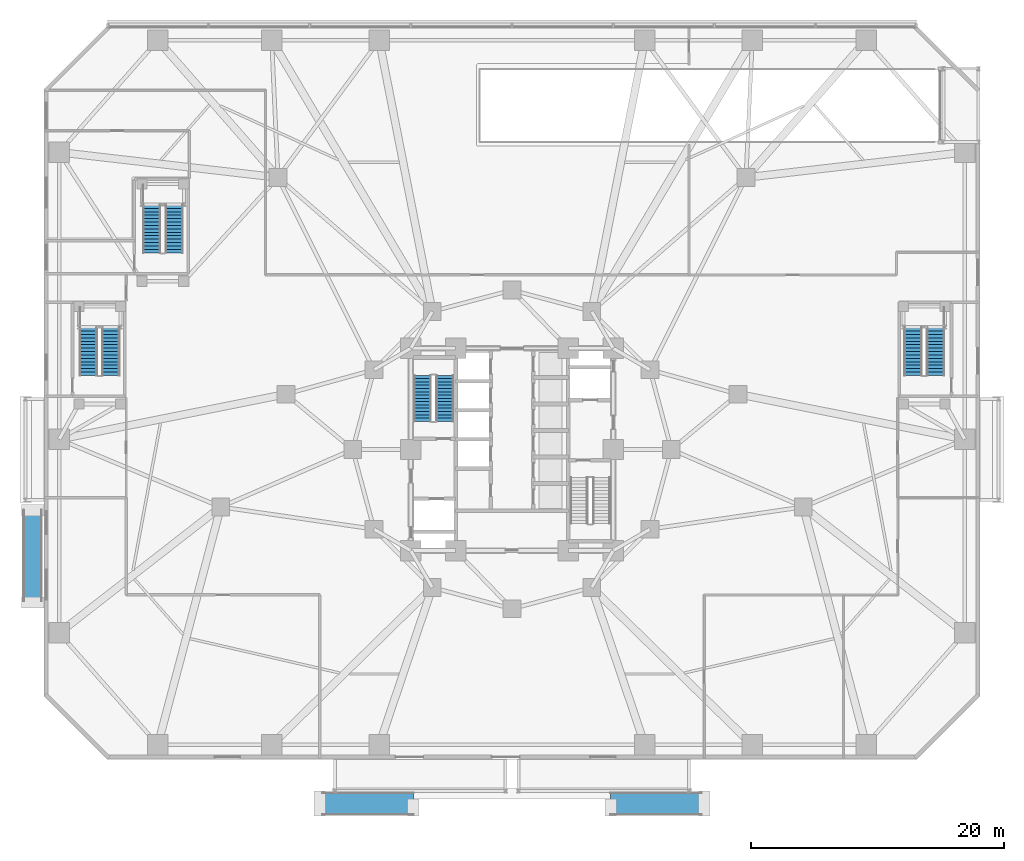
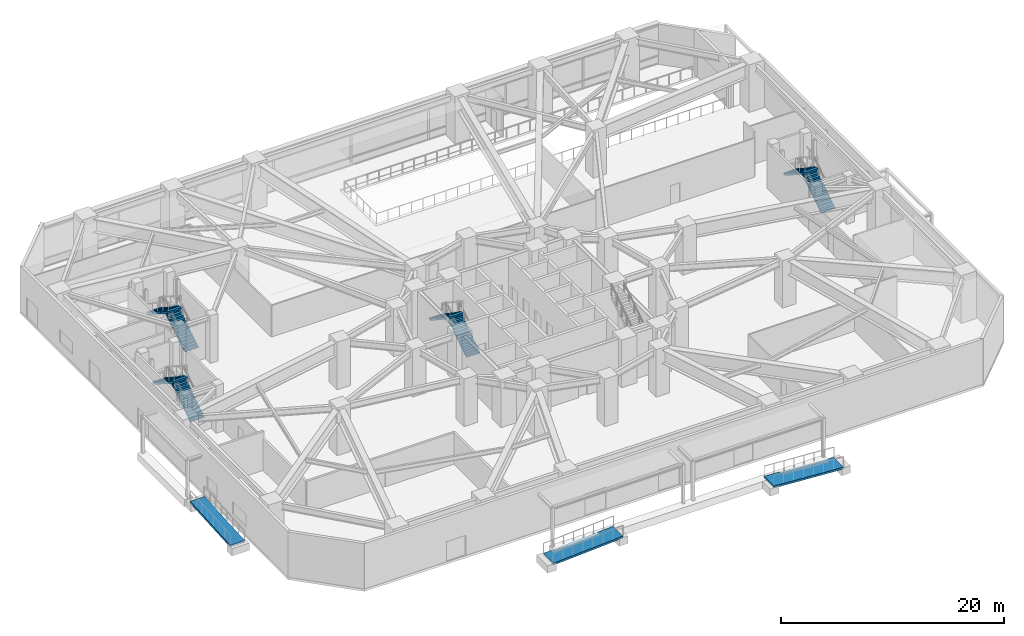
# One storey, part 21 of 30: 8 stair flights, 3 ramp flights, 7 elements without a shape of their own.
"""IFC4 building model written with IfcOpenShell, lengths in metres."""

from ifc_helpers import new_model, si_unit, direction, frame, origin, place, context, subcontext, project, spatial, polyline, outline, extrude, material, type_object, element, aggregate, save


model = new_model("IFC4")

# Units and contexts
model_context = context("Model", 3, precision=1e-05, world=origin(), true_north=direction((0.0, 1.0)))
body_context = subcontext(model_context, "Body", "Model", "MODEL_VIEW")
ifc_project = project(units=[si_unit("LENGTHUNIT", "METRE"), si_unit("AREAUNIT", "SQUARE_METRE"), si_unit("VOLUMEUNIT", "CUBIC_METRE"), si_unit("PLANEANGLEUNIT", "RADIAN"), si_unit("MASSUNIT", "GRAM", prefix="KILO")], contexts=[model_context])

# Site, building, storey
site_placement = place(None, origin())
site = spatial("IfcSite", under=ifc_project, at=site_placement, CompositionType="ELEMENT")
building_placement = place(site_placement, origin())
building = spatial("IfcBuilding", under=site, at=building_placement, Name="Terralouvre Media Tower", CompositionType="ELEMENT")
storey_placement = place(building_placement, origin())
storey = spatial("IfcBuildingStorey", under=building, at=storey_placement, Name="L00", CompositionType="ELEMENT", Elevation=0.0)

# Stair, stair flights
ifc_material_1 = material(Name="Concrete C45/55", Category="concrete")
stair_type_1 = type_object("IfcStairType", Name="Dogleg Stair Assembly ST-01", PredefinedType="HALF_TURN_STAIR", material=ifc_material_1)
stair_1_placement = place(storey_placement, origin())
stair_1 = element("IfcStair", 1, at=stair_1_placement, inside=storey, type_object=stair_type_1, Name="L00 Core Pressurised Exit Stair ST-01", PredefinedType="HALF_TURN_STAIR")
ifc_material_2 = material(Name="Concrete C45/55", Category="concrete")
stair_flight_type = type_object("IfcStairFlightType", Name="Reinforced Concrete Stair Flight SF-RC1", PredefinedType="STRAIGHT", material=ifc_material_2)
stair_flight_1_placement = place(storey_placement, frame((-5.300048828125, 2.219970703125, 0.0), z_axis=(0.0, 0.0, 1.0), x_axis=(0.0, 1.0, 0.0)))
stair_flight_1 = element("IfcStairFlight", 2, at=stair_flight_1_placement, type_object=stair_flight_type, Name="ST-01 flight 1", NumberOfRisers=15, NumberOfTreads=14, PredefinedType="STRAIGHT", RiserHeight=0.173333333, TreadLength=0.26, context=body_context, shape_type="SweptSolid", body=[
    extrude(outline(polyline([(0.0, 0.0), (0.0, 0.17333984375), (0.260009765625, 0.17333984375), (0.260009765625, 0.3466796875), (0.52001953125, 0.3466796875), (0.52001953125, 0.52001953125), (0.780029296875, 0.52001953125), (0.780029296875, 0.693359375), (1.0400390625, 0.693359375), (1.0400390625, 0.86669921875), (1.300048828125, 0.86669921875), (1.300048828125, 1.0400390625), (1.56005859375, 1.0400390625), (1.56005859375, 1.21337890625), (1.820068359375, 1.21337890625), (1.820068359375, 1.38671875), (2.080078125, 1.38671875), (2.080078125, 1.56005859375), (2.340087890625, 1.56005859375), (2.340087890625, 1.7333984375), (2.60009765625, 1.7333984375), (2.60009765625, 1.90673828125), (2.860107421875, 1.90673828125), (2.860107421875, 2.080078125), (3.1201171875, 2.080078125), (3.1201171875, 2.25341796875), (3.3798828125, 2.25341796875), (3.3798828125, 2.4267578125), (3.639892578125, 2.4267578125), (3.639892578125, 2.60009765625), (3.639892578125, 2.24658203125), (0.270263671875, 0.0), (0.0, 0.0)])), frame((0.0, 0.699951171875, 0.0), z_axis=(0.0, -1.0, 0.0), x_axis=(1.0, 0.0, 0.0)), (0.0, 0.0, 1.0), 1.39990234375),
])
stair_flight_2_placement = place(storey_placement, frame((-7.080078125, 5.860107421875, 2.60009765625), z_axis=(0.0, 0.0, 1.0), x_axis=(0.0, -1.0, 0.0)))
stair_flight_2 = element("IfcStairFlight", 3, at=stair_flight_2_placement, type_object=stair_flight_type, Name="ST-01 flight 2", NumberOfRisers=15, NumberOfTreads=14, PredefinedType="STRAIGHT", RiserHeight=0.173333333, TreadLength=0.26, context=body_context, shape_type="SweptSolid", body=[
    extrude(outline(polyline([(0.0, 0.0), (0.0, 0.17333984375), (0.260009765625, 0.17333984375), (0.260009765625, 0.3466796875), (0.52001953125, 0.3466796875), (0.52001953125, 0.52001953125), (0.780029296875, 0.52001953125), (0.780029296875, 0.693359375), (1.0400390625, 0.693359375), (1.0400390625, 0.86669921875), (1.300048828125, 0.86669921875), (1.300048828125, 1.0400390625), (1.56005859375, 1.0400390625), (1.56005859375, 1.21337890625), (1.820068359375, 1.21337890625), (1.820068359375, 1.38671875), (2.080078125, 1.38671875), (2.080078125, 1.56005859375), (2.340087890625, 1.56005859375), (2.340087890625, 1.7333984375), (2.60009765625, 1.7333984375), (2.60009765625, 1.90673828125), (2.860107421875, 1.90673828125), (2.860107421875, 2.080078125), (3.1201171875, 2.080078125), (3.1201171875, 2.25341796875), (3.3798828125, 2.25341796875), (3.3798828125, 2.4267578125), (3.639892578125, 2.4267578125), (3.639892578125, 2.60009765625), (3.639892578125, 2.24658203125), (0.270263671875, 0.0), (0.0, 0.0)])), frame((0.0, 0.699951171875, 0.0), z_axis=(0.0, -1.0, 0.0), x_axis=(1.0, 0.0, 0.0)), (0.0, 0.0, 1.0), 1.39990234375),
])
aggregate(stair_1, [stair_flight_1, stair_flight_2])

ifc_material_3 = material(Name="Concrete C45/55", Category="concrete")
stair_type_2 = type_object("IfcStairType", Name="Dogleg Stair Assembly ST-03", PredefinedType="HALF_TURN_STAIR", material=ifc_material_3)
stair_2_placement = place(storey_placement, origin())
stair_2 = element("IfcStair", 4, at=stair_2_placement, inside=storey, type_object=stair_type_2, Name="L00 West Podium Exit Stair ST-03", PredefinedType="HALF_TURN_STAIR")
stair_flight_3_placement = place(storey_placement, frame((-31.7099609375, 5.85009765625, 0.0), z_axis=(0.0, 0.0, 1.0), x_axis=(0.0, 1.0, 0.0)))
stair_flight_3 = element("IfcStairFlight", 5, at=stair_flight_3_placement, type_object=stair_flight_type, Name="ST-03 flight 1", NumberOfRisers=15, NumberOfTreads=14, PredefinedType="STRAIGHT", RiserHeight=0.173333333, TreadLength=0.27, context=body_context, shape_type="SweptSolid", body=[
    extrude(outline(polyline([(0.0, 0.0), (0.0, 0.17333984375), (0.27001953125, 0.17333984375), (0.27001953125, 0.3466796875), (0.5400390625, 0.3466796875), (0.5400390625, 0.52001953125), (0.81005859375, 0.52001953125), (0.81005859375, 0.693359375), (1.080078125, 0.693359375), (1.080078125, 0.86669921875), (1.35009765625, 0.86669921875), (1.35009765625, 1.0400390625), (1.6201171875, 1.0400390625), (1.6201171875, 1.21337890625), (1.889892578125, 1.21337890625), (1.889892578125, 1.38671875), (2.159912109375, 1.38671875), (2.159912109375, 1.56005859375), (2.429931640625, 1.56005859375), (2.429931640625, 1.7333984375), (2.699951171875, 1.7333984375), (2.699951171875, 1.90673828125), (2.969970703125, 1.90673828125), (2.969970703125, 2.080078125), (3.239990234375, 2.080078125), (3.239990234375, 2.25341796875), (3.510009765625, 2.25341796875), (3.510009765625, 2.4267578125), (3.780029296875, 2.4267578125), (3.780029296875, 2.60009765625), (3.780029296875, 2.24853515625), (0.277587890625, 0.0), (0.0, 0.0)])), frame((0.0, 0.7099609375, 0.0), z_axis=(0.0, -1.0, 0.0), x_axis=(1.0, 0.0, 0.0)), (0.0, 0.0, 1.0), 1.419921875),
])
stair_flight_4_placement = place(storey_placement, frame((-33.489990234375, 9.6298828125, 2.60009765625), z_axis=(0.0, 0.0, 1.0), x_axis=(0.0, -1.0, 0.0)))
stair_flight_4 = element("IfcStairFlight", 6, at=stair_flight_4_placement, type_object=stair_flight_type, Name="ST-03 flight 2", NumberOfRisers=15, NumberOfTreads=14, PredefinedType="STRAIGHT", RiserHeight=0.173333333, TreadLength=0.27, context=body_context, shape_type="SweptSolid", body=[
    extrude(outline(polyline([(0.0, 0.0), (0.0, 0.17333984375), (0.27001953125, 0.17333984375), (0.27001953125, 0.3466796875), (0.5400390625, 0.3466796875), (0.5400390625, 0.52001953125), (0.81005859375, 0.52001953125), (0.81005859375, 0.693359375), (1.080078125, 0.693359375), (1.080078125, 0.86669921875), (1.35009765625, 0.86669921875), (1.35009765625, 1.0400390625), (1.6201171875, 1.0400390625), (1.6201171875, 1.21337890625), (1.889892578125, 1.21337890625), (1.889892578125, 1.38671875), (2.159912109375, 1.38671875), (2.159912109375, 1.56005859375), (2.429931640625, 1.56005859375), (2.429931640625, 1.7333984375), (2.699951171875, 1.7333984375), (2.699951171875, 1.90673828125), (2.969970703125, 1.90673828125), (2.969970703125, 2.080078125), (3.239990234375, 2.080078125), (3.239990234375, 2.25341796875), (3.510009765625, 2.25341796875), (3.510009765625, 2.4267578125), (3.780029296875, 2.4267578125), (3.780029296875, 2.60009765625), (3.780029296875, 2.24853515625), (0.277587890625, 0.0), (0.0, 0.0)])), frame((0.0, 0.7099609375, 0.0), z_axis=(0.0, -1.0, 0.0), x_axis=(1.0, 0.0, 0.0)), (0.0, 0.0, 1.0), 1.419921875),
])
aggregate(stair_2, [stair_flight_3, stair_flight_4])

ifc_material_4 = material(Name="Concrete C45/55", Category="concrete")
stair_type_3 = type_object("IfcStairType", Name="Dogleg Stair Assembly ST-04", PredefinedType="HALF_TURN_STAIR", material=ifc_material_4)
stair_3_placement = place(storey_placement, origin())
stair_3 = element("IfcStair", 7, at=stair_3_placement, inside=storey, type_object=stair_type_3, Name="L00 East Podium Exit Stair ST-04", PredefinedType="HALF_TURN_STAIR")
stair_flight_5_placement = place(storey_placement, frame((33.489990234375, 5.85009765625, 0.0), z_axis=(0.0, 0.0, 1.0), x_axis=(0.0, 1.0, 0.0)))
stair_flight_5 = element("IfcStairFlight", 8, at=stair_flight_5_placement, type_object=stair_flight_type, Name="ST-04 flight 1", NumberOfRisers=15, NumberOfTreads=14, PredefinedType="STRAIGHT", RiserHeight=0.173333333, TreadLength=0.27, context=body_context, shape_type="SweptSolid", body=[
    extrude(outline(polyline([(0.0, 0.0), (0.0, 0.17333984375), (0.27001953125, 0.17333984375), (0.27001953125, 0.3466796875), (0.5400390625, 0.3466796875), (0.5400390625, 0.52001953125), (0.81005859375, 0.52001953125), (0.81005859375, 0.693359375), (1.080078125, 0.693359375), (1.080078125, 0.86669921875), (1.35009765625, 0.86669921875), (1.35009765625, 1.0400390625), (1.6201171875, 1.0400390625), (1.6201171875, 1.21337890625), (1.889892578125, 1.21337890625), (1.889892578125, 1.38671875), (2.159912109375, 1.38671875), (2.159912109375, 1.56005859375), (2.429931640625, 1.56005859375), (2.429931640625, 1.7333984375), (2.699951171875, 1.7333984375), (2.699951171875, 1.90673828125), (2.969970703125, 1.90673828125), (2.969970703125, 2.080078125), (3.239990234375, 2.080078125), (3.239990234375, 2.25341796875), (3.510009765625, 2.25341796875), (3.510009765625, 2.4267578125), (3.780029296875, 2.4267578125), (3.780029296875, 2.60009765625), (3.780029296875, 2.24853515625), (0.277587890625, 0.0), (0.0, 0.0)])), frame((0.0, 0.7099609375, 0.0), z_axis=(0.0, -1.0, 0.0), x_axis=(1.0, 0.0, 0.0)), (0.0, 0.0, 1.0), 1.419921875),
])
stair_flight_6_placement = place(storey_placement, frame((31.7099609375, 9.6298828125, 2.60009765625), z_axis=(0.0, 0.0, 1.0), x_axis=(0.0, -1.0, 0.0)))
stair_flight_6 = element("IfcStairFlight", 9, at=stair_flight_6_placement, type_object=stair_flight_type, Name="ST-04 flight 2", NumberOfRisers=15, NumberOfTreads=14, PredefinedType="STRAIGHT", RiserHeight=0.173333333, TreadLength=0.27, context=body_context, shape_type="SweptSolid", body=[
    extrude(outline(polyline([(0.0, 0.0), (0.0, 0.17333984375), (0.27001953125, 0.17333984375), (0.27001953125, 0.3466796875), (0.5400390625, 0.3466796875), (0.5400390625, 0.52001953125), (0.81005859375, 0.52001953125), (0.81005859375, 0.693359375), (1.080078125, 0.693359375), (1.080078125, 0.86669921875), (1.35009765625, 0.86669921875), (1.35009765625, 1.0400390625), (1.6201171875, 1.0400390625), (1.6201171875, 1.21337890625), (1.889892578125, 1.21337890625), (1.889892578125, 1.38671875), (2.159912109375, 1.38671875), (2.159912109375, 1.56005859375), (2.429931640625, 1.56005859375), (2.429931640625, 1.7333984375), (2.699951171875, 1.7333984375), (2.699951171875, 1.90673828125), (2.969970703125, 1.90673828125), (2.969970703125, 2.080078125), (3.239990234375, 2.080078125), (3.239990234375, 2.25341796875), (3.510009765625, 2.25341796875), (3.510009765625, 2.4267578125), (3.780029296875, 2.4267578125), (3.780029296875, 2.60009765625), (3.780029296875, 2.24853515625), (0.277587890625, 0.0), (0.0, 0.0)])), frame((0.0, 0.7099609375, 0.0), z_axis=(0.0, -1.0, 0.0), x_axis=(1.0, 0.0, 0.0)), (0.0, 0.0, 1.0), 1.419921875),
])
aggregate(stair_3, [stair_flight_5, stair_flight_6])

ifc_material_5 = material(Name="Concrete C45/55", Category="concrete")
stair_type_4 = type_object("IfcStairType", Name="Dogleg Stair Assembly ST-06", PredefinedType="HALF_TURN_STAIR", material=ifc_material_5)
stair_4_placement = place(storey_placement, origin())
stair_4 = element("IfcStair", 10, at=stair_4_placement, inside=storey, type_object=stair_type_4, Name="L00 Podium Garden Visitor Stair ST-06", PredefinedType="HALF_TURN_STAIR")
stair_flight_7_placement = place(storey_placement, frame((-26.7099609375, 15.550048828125, 0.0), z_axis=(0.0, 0.0, 1.0), x_axis=(0.0, 1.0, 0.0)))
stair_flight_7 = element("IfcStairFlight", 11, at=stair_flight_7_placement, type_object=stair_flight_type, Name="ST-06 flight 1", NumberOfRisers=15, NumberOfTreads=14, PredefinedType="STRAIGHT", RiserHeight=0.173333333, TreadLength=0.27, context=body_context, shape_type="SweptSolid", body=[
    extrude(outline(polyline([(0.0, 0.0), (0.0, 0.17333984375), (0.27001953125, 0.17333984375), (0.27001953125, 0.3466796875), (0.5400390625, 0.3466796875), (0.5400390625, 0.52001953125), (0.81005859375, 0.52001953125), (0.81005859375, 0.693359375), (1.080078125, 0.693359375), (1.080078125, 0.86669921875), (1.35009765625, 0.86669921875), (1.35009765625, 1.0400390625), (1.6201171875, 1.0400390625), (1.6201171875, 1.21337890625), (1.889892578125, 1.21337890625), (1.889892578125, 1.38671875), (2.159912109375, 1.38671875), (2.159912109375, 1.56005859375), (2.429931640625, 1.56005859375), (2.429931640625, 1.7333984375), (2.699951171875, 1.7333984375), (2.699951171875, 1.90673828125), (2.969970703125, 1.90673828125), (2.969970703125, 2.080078125), (3.239990234375, 2.080078125), (3.239990234375, 2.25341796875), (3.510009765625, 2.25341796875), (3.510009765625, 2.4267578125), (3.780029296875, 2.4267578125), (3.780029296875, 2.60009765625), (3.780029296875, 2.24853515625), (0.277587890625, 0.0), (0.0, 0.0)])), frame((0.0, 0.7099609375, 0.0), z_axis=(0.0, -1.0, 0.0), x_axis=(1.0, 0.0, 0.0)), (0.0, 0.0, 1.0), 1.419921875),
])
stair_flight_8_placement = place(storey_placement, frame((-28.489990234375, 19.330078125, 2.60009765625), z_axis=(0.0, 0.0, 1.0), x_axis=(0.0, -1.0, 0.0)))
stair_flight_8 = element("IfcStairFlight", 12, at=stair_flight_8_placement, type_object=stair_flight_type, Name="ST-06 flight 2", NumberOfRisers=15, NumberOfTreads=14, PredefinedType="STRAIGHT", RiserHeight=0.173333333, TreadLength=0.27, context=body_context, shape_type="SweptSolid", body=[
    extrude(outline(polyline([(0.0, 0.0), (0.0, 0.17333984375), (0.27001953125, 0.17333984375), (0.27001953125, 0.3466796875), (0.5400390625, 0.3466796875), (0.5400390625, 0.52001953125), (0.81005859375, 0.52001953125), (0.81005859375, 0.693359375), (1.080078125, 0.693359375), (1.080078125, 0.86669921875), (1.35009765625, 0.86669921875), (1.35009765625, 1.0400390625), (1.6201171875, 1.0400390625), (1.6201171875, 1.21337890625), (1.889892578125, 1.21337890625), (1.889892578125, 1.38671875), (2.159912109375, 1.38671875), (2.159912109375, 1.56005859375), (2.429931640625, 1.56005859375), (2.429931640625, 1.7333984375), (2.699951171875, 1.7333984375), (2.699951171875, 1.90673828125), (2.969970703125, 1.90673828125), (2.969970703125, 2.080078125), (3.239990234375, 2.080078125), (3.239990234375, 2.25341796875), (3.510009765625, 2.25341796875), (3.510009765625, 2.4267578125), (3.780029296875, 2.4267578125), (3.780029296875, 2.60009765625), (3.780029296875, 2.24853515625), (0.277587890625, 0.0), (0.0, 0.0)])), frame((0.0, 0.7099609375, 0.0), z_axis=(0.0, -1.0, 0.0), x_axis=(1.0, 0.0, 0.0)), (0.0, 0.0, 1.0), 1.419921875),
])
aggregate(stair_4, [stair_flight_7, stair_flight_8])

# Ramp, ramp flight
ifc_material_6 = material(Name="Concrete C40/50", Category="concrete")
ramp_type = type_object("IfcRampType", Name="Accessible Pedestrian Ramp AR-01", PredefinedType="STRAIGHT_RUN_RAMP", material=ifc_material_6)
ramp_1_placement = place(storey_placement, origin())
ramp_1 = element("IfcRamp", 13, at=ramp_1_placement, inside=storey, type_object=ramp_type, material=ifc_material_6, Name="South Main Plaza Step-Free Entrance Ramp", PredefinedType="STRAIGHT_RUN_RAMP")
ifc_material_7 = material(Name="Concrete C40/50", Category="concrete")
ramp_flight_type = type_object("IfcRampFlightType", Name="Accessible Pedestrian Ramp Flight ARF-01", PredefinedType="STRAIGHT", material=ifc_material_7)
ramp_flight_1_placement = place(storey_placement, frame((-15.0, -28.0, -0.449951171875), z_axis=(0.0, 0.0, 1.0), x_axis=(1.0, 0.0, 0.0)))
ramp_flight_1 = element("IfcRampFlight", 14, at=ramp_flight_1_placement, type_object=ramp_flight_type, material=ifc_material_7, Name="South Main Plaza Step-Free Entrance Ramp Flight", PredefinedType="STRAIGHT", context=body_context, shape_type="SweptSolid", body=[
    extrude(outline(polyline([(0.0, 0.0), (7.199951171875, 0.449951171875), (7.199951171875, 0.22998046875), (0.0, -0.219970703125), (0.0, 0.0)])), frame((0.0, 0.89990234375, 0.0), z_axis=(0.0, -1.0, 0.0), x_axis=(1.0, 0.0, 0.0)), (0.0, 0.0, 1.0), 1.800048828125),
])
aggregate(ramp_1, [ramp_flight_1])

ramp_2_placement = place(storey_placement, origin())
ramp_2 = element("IfcRamp", 15, at=ramp_2_placement, inside=storey, type_object=ramp_type, material=ifc_material_6, Name="South Drop-Off Step-Free Entrance Ramp", PredefinedType="STRAIGHT_RUN_RAMP")
ramp_flight_2_placement = place(storey_placement, frame((15.0, -28.0, -0.449951171875), z_axis=(0.0, 0.0, 1.0), x_axis=(-1.0, 0.0, 0.0)))
ramp_flight_2 = element("IfcRampFlight", 16, at=ramp_flight_2_placement, type_object=ramp_flight_type, material=ifc_material_7, Name="South Drop-Off Step-Free Entrance Ramp Flight", PredefinedType="STRAIGHT", context=body_context, shape_type="SweptSolid", body=[
    extrude(outline(polyline([(0.0, 0.0), (7.199951171875, 0.449951171875), (7.199951171875, 0.22998046875), (0.0, -0.219970703125), (0.0, 0.0)])), frame((0.0, 0.89990234375, 0.0), z_axis=(0.0, -1.0, 0.0), x_axis=(1.0, 0.0, 0.0)), (0.0, 0.0, 1.0), 1.800048828125),
])
aggregate(ramp_2, [ramp_flight_2])

ramp_3_placement = place(storey_placement, origin())
ramp_3 = element("IfcRamp", 17, at=ramp_3_placement, inside=storey, type_object=ramp_type, material=ifc_material_6, Name="West Boulevard Accessible Ramp", PredefinedType="STRAIGHT_RUN_RAMP")
ramp_flight_3_placement = place(storey_placement, frame((-37.89990234375, -12.0, -0.449951171875), z_axis=(0.0, 0.0, 1.0), x_axis=(0.0, 1.0, 0.0)))
ramp_flight_3 = element("IfcRampFlight", 18, at=ramp_flight_3_placement, type_object=ramp_flight_type, material=ifc_material_7, Name="West Boulevard Accessible Ramp Flight", PredefinedType="STRAIGHT", context=body_context, shape_type="SweptSolid", body=[
    extrude(outline(polyline([(0.0, 0.0), (7.199951171875, 0.449951171875), (7.199951171875, 0.22998046875), (0.0, -0.219970703125), (0.0, 0.0)])), frame((0.0, 0.75, 0.0), z_axis=(0.0, -1.0, 0.0), x_axis=(1.0, 0.0, 0.0)), (0.0, 0.0, 1.0), 1.5),
])
aggregate(ramp_3, [ramp_flight_3])

save(model, "model.ifc")
